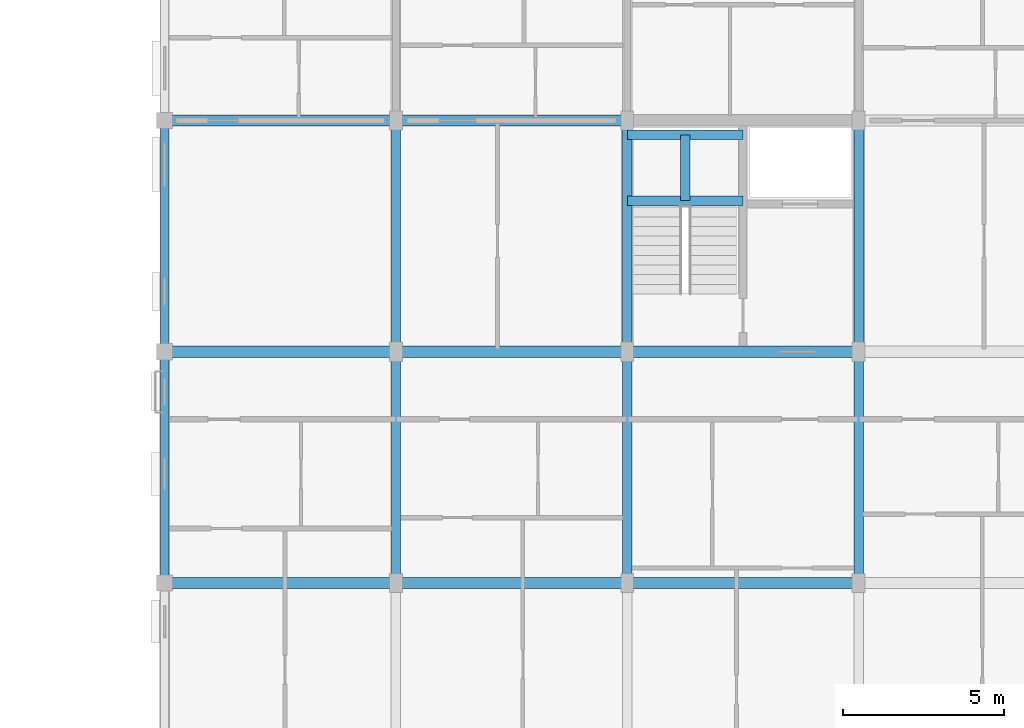
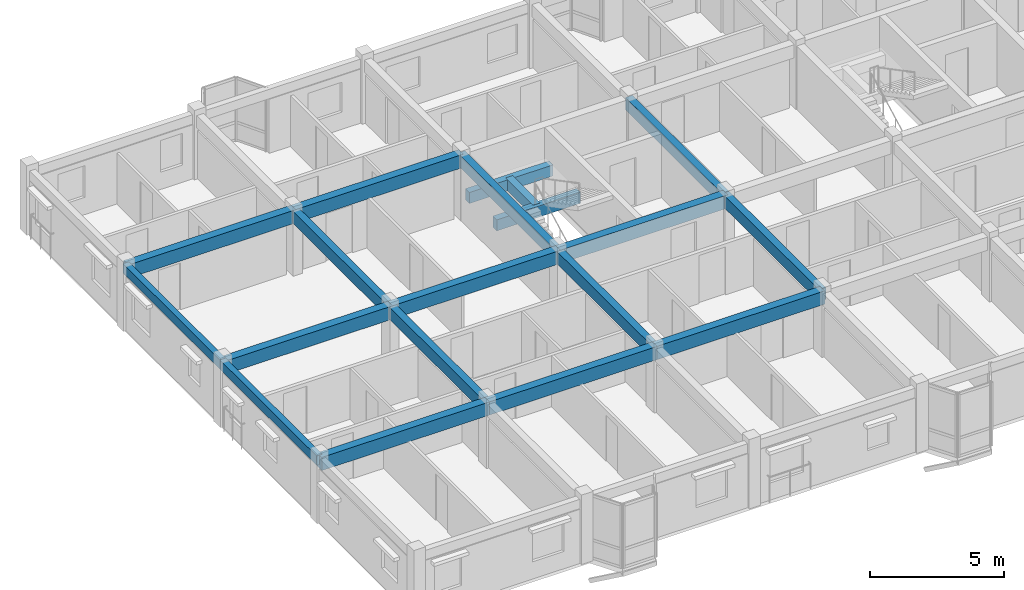
# One storey, part 26 of 64: 19 beams.
"""IFC4 building model written with IfcOpenShell, lengths in metres."""

import ifcopenshell
import ifcopenshell.guid

model = None  # the IFC model being written
_history = None  # IfcOwnerHistory: only IFC2X3 demands one
_inside = {}  # id of a spatial element -> (the spatial element, [elements in it])
_under = {}  # id of a project, library or spatial element -> (it, [spatial elements below it])
_declared = {}  # id of a project -> (the project, [libraries it declares])
_typed = {}  # id of a type object -> (the type object, [elements of that type])
_made_of = {}  # id of a material, layer set ... -> (it, [elements and type objects made of it])


def new_model(schema):
    """Start an empty IFC model of exactly this schema.

    Asked for "IFC4X3", IfcOpenShell would pick the latest addendum, in which some entities
    have other attributes; the version numbers below select the first issue.
    IFC2X3 requires an IfcOwnerHistory on every rooted entity: one is made here for all.
    """
    global model, _history
    if schema == "IFC4X3":
        model = ifcopenshell.file(schema_version=(4, 3, 0, 0))
    else:
        model = ifcopenshell.file(schema=schema)
    _inside.clear()
    _under.clear()
    _declared.clear()
    _typed.clear()
    _made_of.clear()
    _history = None
    if model.schema == "IFC2X3":
        org = make("IfcOrganization", Name="unknown")
        user = make(
            "IfcPersonAndOrganization",
            ThePerson=make("IfcPerson", FamilyName="unknown"),
            TheOrganization=org,
        )
        app = make(
            "IfcApplication",
            ApplicationDeveloper=org,
            Version="unknown",
            ApplicationFullName="unknown",
            ApplicationIdentifier="unknown",
        )
        _history = make(
            "IfcOwnerHistory",
            OwningUser=user,
            OwningApplication=app,
            ChangeAction="ADDED",
            CreationDate=0,
        )
    return model


def make(cls, **values):
    """One entity of the class cls with the attributes given. An attribute that is None is left unset."""
    return model.create_entity(
        cls, **{name: value for name, value in values.items() if value is not None}
    )


def rooted(cls, **values):
    """An entity with a GlobalId (a new one), such as an element, a storey or a relation."""
    return make(cls, GlobalId=ifcopenshell.guid.new(), OwnerHistory=_history, **values)


def si_unit(unit_type, name, prefix=None):
    """IfcSIUnit, for example si_unit("LENGTHUNIT", "METRE", prefix="MILLI")."""
    return make("IfcSIUnit", UnitType=unit_type, Prefix=prefix, Name=name)


def assignment(units):
    """IfcUnitAssignment: the units of a project."""
    return None if units is None else make("IfcUnitAssignment", Units=units)


def point(xyz):
    """IfcCartesianPoint."""
    return None if xyz is None else make("IfcCartesianPoint", Coordinates=xyz)


def direction(xyz):
    """IfcDirection."""
    return None if xyz is None else make("IfcDirection", DirectionRatios=xyz)


def frame(location, z_axis=None, x_axis=None):
    """IfcAxis2Placement3D, a coordinate frame: its origin and axes. An axis left out is left unset."""
    return make(
        "IfcAxis2Placement3D",
        Location=point(location),
        Axis=direction(z_axis),
        RefDirection=direction(x_axis),
    )


def frame_2d(location, x_axis=None):
    """IfcAxis2Placement2D, a coordinate frame in the plane: its origin and x axis."""
    return make(
        "IfcAxis2Placement2D", Location=point(location), RefDirection=direction(x_axis)
    )


def origin():
    """The frame at (0, 0, 0) with its axes left unset."""
    return frame((0.0, 0.0, 0.0))


def origin_2d():
    """The frame at (0, 0) in the plane with its x axis left unset."""
    return frame_2d((0.0, 0.0))


def place(relative_to, where):
    """IfcLocalPlacement: puts the frame where relative to a parent placement (None: the world)."""
    return make(
        "IfcLocalPlacement", PlacementRelTo=relative_to, RelativePlacement=where
    )


def context(
    kind, dimensions, precision=None, world=None, true_north=None, identifier=None
):
    """IfcGeometricRepresentationContext, for example the 3D "Model" context."""
    return make(
        "IfcGeometricRepresentationContext",
        ContextIdentifier=identifier,
        ContextType=kind,
        CoordinateSpaceDimension=dimensions,
        Precision=precision,
        WorldCoordinateSystem=world,
        TrueNorth=true_north,
    )


def subcontext(parent, identifier, kind, view, scale=None):
    """IfcGeometricRepresentationSubContext, for example "Body" below "Model"."""
    return make(
        "IfcGeometricRepresentationSubContext",
        ContextIdentifier=identifier,
        ContextType=kind,
        ParentContext=parent,
        TargetScale=scale,
        TargetView=view,
    )


def project(units=None, contexts=None):
    """IfcProject with its units and contexts."""
    return rooted(
        "IfcProject",
        Name="project",
        RepresentationContexts=contexts,
        UnitsInContext=assignment(units),
    )


def spatial(cls, under=None, at=None, **own):
    """A site, building, storey or space (cls), placed at a placement, below another one or the project."""
    s = rooted(cls, ObjectPlacement=at, **own)
    if under is not None:
        _under.setdefault(under.id(), (under, []))[1].append(s)
    return s


def profile(cls, at=None, kind="AREA", **sizes):
    """A parametric profile (cls). Its sizes go by their IFC names, for example OverallWidth=200.0."""
    return make(cls, ProfileType=kind, Position=at, **sizes)


def rectangle(**sizes):
    """IfcRectangleProfileDef."""
    return profile("IfcRectangleProfileDef", **sizes)


def extrude(swept, where, along, depth):
    """IfcExtrudedAreaSolid: the profile swept, set in the frame where, extruded along a direction by depth."""
    return make(
        "IfcExtrudedAreaSolid",
        SweptArea=swept,
        Position=where,
        ExtrudedDirection=direction(along),
        Depth=depth,
    )


def shape(context_of_items, identifier, shape_type, items):
    """IfcShapeRepresentation: the items that make up one representation, for example the "Body"."""
    return make(
        "IfcShapeRepresentation",
        ContextOfItems=context_of_items,
        RepresentationIdentifier=identifier,
        RepresentationType=shape_type,
        Items=items,
    )


def material(Name=None, Category=None):
    """IfcMaterial."""
    return make("IfcMaterial", Name=Name, Category=Category)


def material_profile(
    of_material, cross_section, Name=None, Category=None, Priority=None
):
    """IfcMaterialProfile: a cross section and its material."""
    return make(
        "IfcMaterialProfile",
        Name=Name,
        Material=of_material,
        Profile=cross_section,
        Priority=Priority,
        Category=Category,
    )


def profile_set(profiles, Name=None, composite=None):
    """IfcMaterialProfileSet."""
    return make(
        "IfcMaterialProfileSet",
        Name=Name,
        MaterialProfiles=profiles,
        CompositeProfile=composite,
    )


def made_of(thing, what):
    """Note that an element or type object is made of a material, layer set ...; save() writes the relation."""
    if what is not None:
        _made_of.setdefault(what.id(), (what, []))[1].append(thing)
    return thing


def type_object(cls, material=None, **own):
    """A type object (cls), such as IfcWallType, which elements share."""
    return made_of(rooted(cls, **own), material)


def element(
    cls,
    number,
    at=None,
    inside=None,
    cuts=None,
    type_object=None,
    material=None,
    context=None,
    identifier="Body",
    shape_type=None,
    held_by="IfcProductDefinitionShape",
    body=None,
    shapes=None,
    **own,
):
    """One element of the class cls, such as IfcWall. Its Tag is "e" and its number.

    at: its placement. inside: the storey or other place that contains it. cuts: it is an
    opening in that element (IfcRelVoidsElement). A single representation is given by context,
    identifier, shape_type and body (its items); several are given by shapes. held_by: the class
    of the entity that holds the representations. save() writes the other relations.
    """
    e = rooted(cls, Tag="e%d" % number, ObjectPlacement=at, **own)
    if body is not None:
        shapes = [shape(context, identifier, shape_type, body)]
    if shapes is not None:
        e.Representation = make(held_by, Representations=shapes)
    if inside is not None:
        _inside.setdefault(inside.id(), (inside, []))[1].append(e)
    if cuts is not None:
        rooted(
            "IfcRelVoidsElement", RelatingBuildingElement=cuts, RelatedOpeningElement=e
        )
    if type_object is not None:
        _typed.setdefault(type_object.id(), (type_object, []))[1].append(e)
    return made_of(e, material)


def aggregate(whole, parts):
    """IfcRelAggregates: a whole, such as a stair, and the parts it consists of."""
    return rooted("IfcRelAggregates", RelatingObject=whole, RelatedObjects=parts)


def save(model, path):
    """Write the relations noted so far, then the file.

    IfcRelAggregates (storeys below a building ...), IfcRelContainedInSpatialStructure (elements
    in a storey), IfcRelDefinesByType, IfcRelAssociatesMaterial and IfcRelDeclares: one each for
    every whole, place, type object, material and project.
    """
    for whole, parts in _under.values():
        aggregate(whole, parts)
    for where, things in _inside.values():
        rooted(
            "IfcRelContainedInSpatialStructure",
            RelatedElements=things,
            RelatingStructure=where,
        )
    for kind, things in _typed.values():
        rooted("IfcRelDefinesByType", RelatedObjects=things, RelatingType=kind)
    for what, things in _made_of.values():
        rooted("IfcRelAssociatesMaterial", RelatedObjects=things, RelatingMaterial=what)
    for by, libraries in _declared.values():
        rooted("IfcRelDeclares", RelatingContext=by, RelatedDefinitions=libraries)
    model.write(path)


model = new_model("IFC4")

# Units and contexts
model_context = context("Model", 3, precision=1e-05, world=origin(), true_north=direction((0.0, 1.0)))
body_context = subcontext(model_context, "Body", "Model", "MODEL_VIEW")
ifc_project = project(units=[si_unit("LENGTHUNIT", "METRE"), si_unit("AREAUNIT", "SQUARE_METRE"), si_unit("VOLUMEUNIT", "CUBIC_METRE"), si_unit("PLANEANGLEUNIT", "RADIAN"), si_unit("MASSUNIT", "GRAM", prefix="KILO"), si_unit("THERMODYNAMICTEMPERATUREUNIT", "KELVIN"), si_unit("POWERUNIT", "WATT")], contexts=[model_context])

# Site, building, storey
site_placement = place(None, origin())
site = spatial("IfcSite", under=ifc_project, at=site_placement, CompositionType="ELEMENT")
building_placement = place(site_placement, origin())
building = spatial("IfcBuilding", under=site, at=building_placement, Name="Tavuni Mirador Residences", CompositionType="ELEMENT")
storey_placement = place(building_placement, frame((0.0, 0.0, 26.550048828125)))
storey = spatial("IfcBuildingStorey", under=building, at=storey_placement, Name="L08", CompositionType="ELEMENT", Elevation=26.550048828125)

# Beams
ifc_material = material(Name="Precast concrete C40/50", Category="concrete")
ifc_material_profile_1 = material_profile(ifc_material, rectangle(XDim=0.300048828125, YDim=0.5, at=origin_2d()), Name="PC 300x500", Category="concrete")
ifc_profile_set_1 = profile_set([ifc_material_profile_1], Name="Precast concrete C40/50")
beam_type_1 = type_object("IfcBeamType", Name="BT-B500", PredefinedType="BEAM", material=ifc_profile_set_1)
for number, where, z_axis, x_axis, name in (
    (1, (25.199951171875, 163.10009765625, 1.14501953125), (1.0, 0.0, 0.0), (0.0, 1.0, 0.0), "HLB1-C5-L08"),
    (2, (25.199951171875, 165.14990234375, 1.14501953125), (1.0, 0.0, 0.0), (0.0, 1.0, 0.0), "HLB2-C5-L08"),
):
    element("IfcBeam", number, at=place(storey_placement, frame(where, z_axis=z_axis, x_axis=x_axis)), inside=storey, type_object=beam_type_1, Name=name, PredefinedType="BEAM", context=body_context, shape_type="SweptSolid", body=[
        extrude(rectangle(XDim=0.300048828125, YDim=0.5, at=origin_2d()), origin(), (0.0, 0.0, 1.0), 3.60009765625),
    ])
beam_1_placement = place(storey_placement, frame((27.0, 163.10009765625, 1.14501953125), z_axis=(0.0, 1.0, 0.0), x_axis=(-1.0, 0.0, 0.0)))
element("IfcBeam", 3, at=beam_1_placement, inside=storey, type_object=beam_type_1, Name="HLB3-C5-L08", PredefinedType="BEAM", context=body_context, shape_type="SweptSolid", body=[
    extrude(rectangle(XDim=0.300048828125, YDim=0.5, at=origin_2d()), origin(), (0.0, 0.0, 1.0), 2.0498046875),
])
ifc_material_profile_2 = material_profile(ifc_material, rectangle(XDim=0.300048828125, YDim=0.550048828125, at=origin_2d()), Name="PC 300x550", Category="concrete")
ifc_profile_set_2 = profile_set([ifc_material_profile_2], Name="Precast concrete C40/50")
beam_type_2 = type_object("IfcBeamType", Name="BT-B550", PredefinedType="BEAM", material=ifc_profile_set_2)
beam_2_placement = place(storey_placement, frame((18.0, 151.199951171875, 2.60986328125), z_axis=(0.0, 1.0, 0.0), x_axis=(-1.0, 0.0, 0.0)))
element("IfcBeam", 4, at=beam_2_placement, inside=storey, type_object=beam_type_2, Name="BMY-BLK-C-L08-01-01", PredefinedType="BEAM", context=body_context, shape_type="SweptSolid", body=[
    extrude(rectangle(XDim=0.300048828125, YDim=0.550048828125, at=origin_2d()), origin(), (0.0, 0.0, 1.0), 7.199951171875),
])
beam_3_placement = place(storey_placement, frame((18.0, 158.39990234375, 2.60986328125), z_axis=(0.0, 1.0, 0.0), x_axis=(-1.0, 0.0, 0.0)))
element("IfcBeam", 5, at=beam_3_placement, inside=storey, type_object=beam_type_2, Name="BMY-BLK-C-L08-01-02", PredefinedType="BEAM", context=body_context, shape_type="SweptSolid", body=[
    extrude(rectangle(XDim=0.300048828125, YDim=0.550048828125, at=origin_2d()), origin(), (0.0, 0.0, 1.0), 7.2001953125),
])
beam_4_placement = place(storey_placement, frame((25.199951171875, 151.199951171875, 2.60986328125), z_axis=(0.0, 1.0, 0.0), x_axis=(-1.0, 0.0, 0.0)))
element("IfcBeam", 6, at=beam_4_placement, inside=storey, type_object=beam_type_2, Name="BMY-BLK-C-L08-02-01", PredefinedType="BEAM", context=body_context, shape_type="SweptSolid", body=[
    extrude(rectangle(XDim=0.300048828125, YDim=0.550048828125, at=origin_2d()), origin(), (0.0, 0.0, 1.0), 7.199951171875),
])
beam_5_placement = place(storey_placement, frame((25.199951171875, 158.39990234375, 2.60986328125), z_axis=(0.0, 1.0, 0.0), x_axis=(-1.0, 0.0, 0.0)))
element("IfcBeam", 7, at=beam_5_placement, inside=storey, type_object=beam_type_2, Name="BMY-BLK-C-L08-02-02", PredefinedType="BEAM", context=body_context, shape_type="SweptSolid", body=[
    extrude(rectangle(XDim=0.300048828125, YDim=0.550048828125, at=origin_2d()), origin(), (0.0, 0.0, 1.0), 7.2001953125),
])
beam_6_placement = place(storey_placement, frame((32.39990234375, 151.199951171875, 2.60986328125), z_axis=(0.0, 1.0, 0.0), x_axis=(-1.0, 0.0, 0.0)))
element("IfcBeam", 8, at=beam_6_placement, inside=storey, type_object=beam_type_2, Name="BMY-BLK-C-L08-03-01", PredefinedType="BEAM", context=body_context, shape_type="SweptSolid", body=[
    extrude(rectangle(XDim=0.300048828125, YDim=0.550048828125, at=origin_2d()), origin(), (0.0, 0.0, 1.0), 7.199951171875),
])
beam_7_placement = place(storey_placement, frame((32.39990234375, 158.39990234375, 2.60986328125), z_axis=(0.0, 1.0, 0.0), x_axis=(-1.0, 0.0, 0.0)))
element("IfcBeam", 9, at=beam_7_placement, inside=storey, type_object=beam_type_2, Name="BMY-BLK-C-L08-03-02", PredefinedType="BEAM", context=body_context, shape_type="SweptSolid", body=[
    extrude(rectangle(XDim=0.300048828125, YDim=0.550048828125, at=origin_2d()), origin(), (0.0, 0.0, 1.0), 7.2001953125),
])
ifc_material_profile_3 = material_profile(ifc_material, rectangle(XDim=0.35009765625, YDim=0.60009765625, at=origin_2d()), Name="PC 350x600", Category="concrete")
ifc_profile_set_3 = profile_set([ifc_material_profile_3], Name="Precast concrete C40/50")
beam_type_3 = type_object("IfcBeamType", Name="BT-B600", PredefinedType="BEAM", material=ifc_profile_set_3)
for number, where, z_axis, x_axis, name in (
    (10, (10.800048828125, 151.199951171875, 2.5849609375), (1.0, 0.0, 0.0), (0.0, 1.0, 0.0), "BMX-BLK-C-L08-00-01"),
    (11, (18.0, 151.199951171875, 2.5849609375), (1.0, 0.0, 0.0), (0.0, 1.0, 0.0), "BMX-BLK-C-L08-01-01"),
    (12, (25.199951171875, 151.199951171875, 2.5849609375), (1.0, 0.0, 0.0), (0.0, 1.0, 0.0), "BMX-BLK-C-L08-02-01"),
    (13, (10.800048828125, 158.39990234375, 2.5849609375), (1.0, 0.0, 0.0), (0.0, 1.0, 0.0), "BMX-BLK-C-L08-00-02"),
    (14, (18.0, 158.39990234375, 2.5849609375), (1.0, 0.0, 0.0), (0.0, 1.0, 0.0), "BMX-BLK-C-L08-01-02"),
    (15, (25.199951171875, 158.39990234375, 2.5849609375), (1.0, 0.0, 0.0), (0.0, 1.0, 0.0), "BMX-BLK-C-L08-02-02"),
    (16, (10.800048828125, 165.60009765625, 2.5849609375), (1.0, 0.0, 0.0), (0.0, 1.0, 0.0), "BMX-BLK-C-L08-00-03"),
    (17, (18.0, 165.60009765625, 2.5849609375), (1.0, 0.0, 0.0), (0.0, 1.0, 0.0), "BMX-BLK-C-L08-01-03"),
):
    element("IfcBeam", number, at=place(storey_placement, frame(where, z_axis=z_axis, x_axis=x_axis)), inside=storey, type_object=beam_type_3, Name=name, PredefinedType="BEAM", context=body_context, shape_type="SweptSolid", body=[
        extrude(rectangle(XDim=0.35009765625, YDim=0.60009765625, at=origin_2d()), origin(), (0.0, 0.0, 1.0), 7.199951171875),
    ])
ifc_material_profile_4 = material_profile(ifc_material, rectangle(XDim=0.25, YDim=0.419921875, at=origin_2d()), Name="PC 250x420", Category="concrete")
ifc_profile_set_4 = profile_set([ifc_material_profile_4], Name="Precast concrete C40/50")
beam_type_4 = type_object("IfcBeamType", Name="BT-SP420", PredefinedType="SPANDREL", material=ifc_profile_set_4)
beam_8_placement = place(storey_placement, frame((10.800048828125, 151.199951171875, 2.675048828125), z_axis=(0.0, 1.0, 0.0), x_axis=(-1.0, 0.0, 0.0)))
element("IfcBeam", 18, at=beam_8_placement, inside=storey, type_object=beam_type_4, Name="BMY-BLK-C-L08-00-01", PredefinedType="SPANDREL", context=body_context, shape_type="SweptSolid", body=[
    extrude(rectangle(XDim=0.25, YDim=0.419921875, at=origin_2d()), origin(), (0.0, 0.0, 1.0), 7.199951171875),
])
beam_9_placement = place(storey_placement, frame((10.800048828125, 158.39990234375, 2.675048828125), z_axis=(0.0, 1.0, 0.0), x_axis=(-1.0, 0.0, 0.0)))
element("IfcBeam", 19, at=beam_9_placement, inside=storey, type_object=beam_type_4, Name="BMY-BLK-C-L08-00-02", PredefinedType="SPANDREL", context=body_context, shape_type="SweptSolid", body=[
    extrude(rectangle(XDim=0.25, YDim=0.419921875, at=origin_2d()), origin(), (0.0, 0.0, 1.0), 7.2001953125),
])

save(model, "model.ifc")
